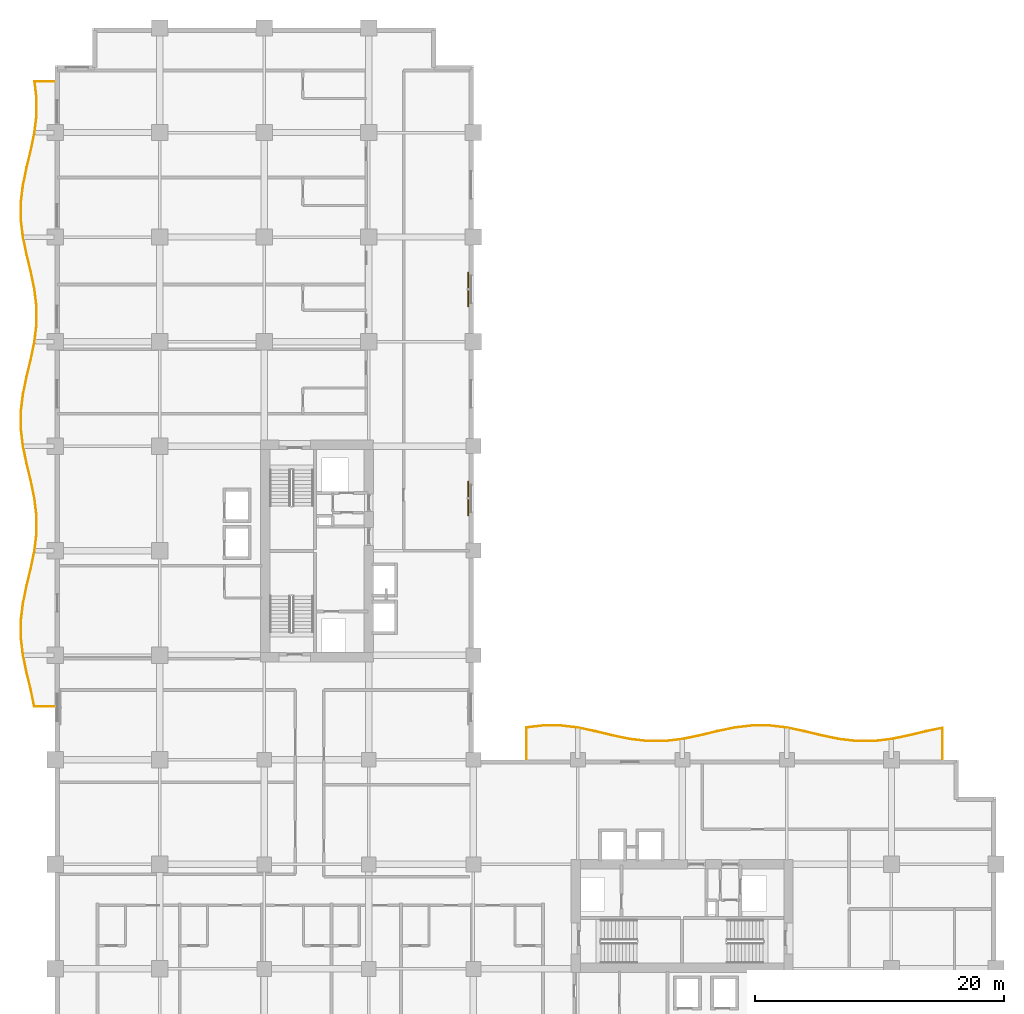
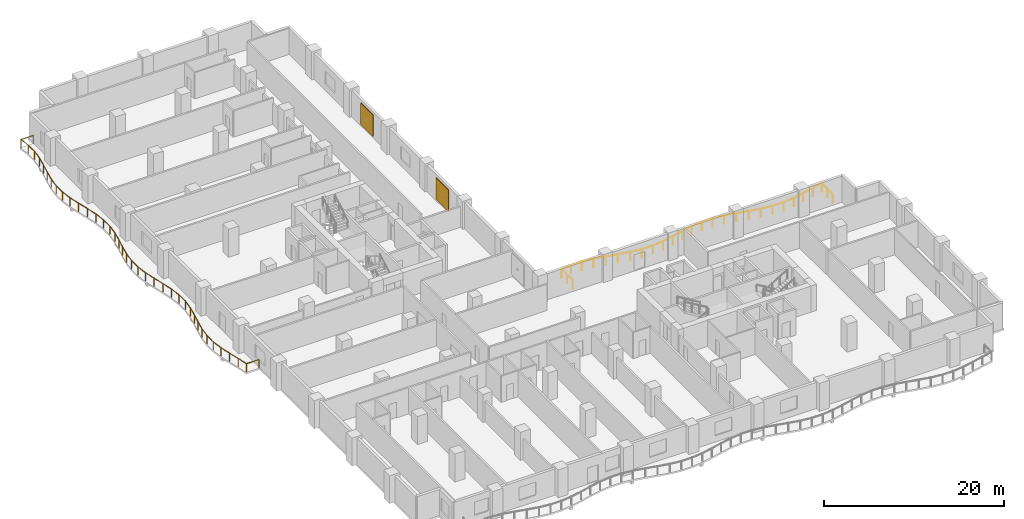
# One storey, part 17 of 17: 2 railings, 2 shading devices.
"""IFC4 building model written with IfcOpenShell, lengths in metres."""

import ifcopenshell
import ifcopenshell.guid

model = None  # the IFC model being written
_history = None  # IfcOwnerHistory: only IFC2X3 demands one
_inside = {}  # id of a spatial element -> (the spatial element, [elements in it])
_under = {}  # id of a project, library or spatial element -> (it, [spatial elements below it])
_declared = {}  # id of a project -> (the project, [libraries it declares])
_typed = {}  # id of a type object -> (the type object, [elements of that type])
_made_of = {}  # id of a material, layer set ... -> (it, [elements and type objects made of it])


def new_model(schema):
    """Start an empty IFC model of exactly this schema.

    Asked for "IFC4X3", IfcOpenShell would pick the latest addendum, in which some entities
    have other attributes; the version numbers below select the first issue.
    IFC2X3 requires an IfcOwnerHistory on every rooted entity: one is made here for all.
    """
    global model, _history
    if schema == "IFC4X3":
        model = ifcopenshell.file(schema_version=(4, 3, 0, 0))
    else:
        model = ifcopenshell.file(schema=schema)
    _inside.clear()
    _under.clear()
    _declared.clear()
    _typed.clear()
    _made_of.clear()
    _history = None
    if model.schema == "IFC2X3":
        org = make("IfcOrganization", Name="unknown")
        user = make(
            "IfcPersonAndOrganization",
            ThePerson=make("IfcPerson", FamilyName="unknown"),
            TheOrganization=org,
        )
        app = make(
            "IfcApplication",
            ApplicationDeveloper=org,
            Version="unknown",
            ApplicationFullName="unknown",
            ApplicationIdentifier="unknown",
        )
        _history = make(
            "IfcOwnerHistory",
            OwningUser=user,
            OwningApplication=app,
            ChangeAction="ADDED",
            CreationDate=0,
        )
    return model


def make(cls, **values):
    """One entity of the class cls with the attributes given. An attribute that is None is left unset."""
    return model.create_entity(
        cls, **{name: value for name, value in values.items() if value is not None}
    )


def rooted(cls, **values):
    """An entity with a GlobalId (a new one), such as an element, a storey or a relation."""
    return make(cls, GlobalId=ifcopenshell.guid.new(), OwnerHistory=_history, **values)


def si_unit(unit_type, name, prefix=None):
    """IfcSIUnit, for example si_unit("LENGTHUNIT", "METRE", prefix="MILLI")."""
    return make("IfcSIUnit", UnitType=unit_type, Prefix=prefix, Name=name)


def assignment(units):
    """IfcUnitAssignment: the units of a project."""
    return None if units is None else make("IfcUnitAssignment", Units=units)


def point(xyz):
    """IfcCartesianPoint."""
    return None if xyz is None else make("IfcCartesianPoint", Coordinates=xyz)


def direction(xyz):
    """IfcDirection."""
    return None if xyz is None else make("IfcDirection", DirectionRatios=xyz)


def frame(location, z_axis=None, x_axis=None):
    """IfcAxis2Placement3D, a coordinate frame: its origin and axes. An axis left out is left unset."""
    return make(
        "IfcAxis2Placement3D",
        Location=point(location),
        Axis=direction(z_axis),
        RefDirection=direction(x_axis),
    )


def frame_2d(location, x_axis=None):
    """IfcAxis2Placement2D, a coordinate frame in the plane: its origin and x axis."""
    return make(
        "IfcAxis2Placement2D", Location=point(location), RefDirection=direction(x_axis)
    )


def origin():
    """The frame at (0, 0, 0) with its axes left unset."""
    return frame((0.0, 0.0, 0.0))


def origin_2d():
    """The frame at (0, 0) in the plane with its x axis left unset."""
    return frame_2d((0.0, 0.0))


def place(relative_to, where):
    """IfcLocalPlacement: puts the frame where relative to a parent placement (None: the world)."""
    return make(
        "IfcLocalPlacement", PlacementRelTo=relative_to, RelativePlacement=where
    )


def context(
    kind, dimensions, precision=None, world=None, true_north=None, identifier=None
):
    """IfcGeometricRepresentationContext, for example the 3D "Model" context."""
    return make(
        "IfcGeometricRepresentationContext",
        ContextIdentifier=identifier,
        ContextType=kind,
        CoordinateSpaceDimension=dimensions,
        Precision=precision,
        WorldCoordinateSystem=world,
        TrueNorth=true_north,
    )


def subcontext(parent, identifier, kind, view, scale=None):
    """IfcGeometricRepresentationSubContext, for example "Body" below "Model"."""
    return make(
        "IfcGeometricRepresentationSubContext",
        ContextIdentifier=identifier,
        ContextType=kind,
        ParentContext=parent,
        TargetScale=scale,
        TargetView=view,
    )


def project(units=None, contexts=None):
    """IfcProject with its units and contexts."""
    return rooted(
        "IfcProject",
        Name="project",
        RepresentationContexts=contexts,
        UnitsInContext=assignment(units),
    )


def spatial(cls, under=None, at=None, **own):
    """A site, building, storey or space (cls), placed at a placement, below another one or the project."""
    s = rooted(cls, ObjectPlacement=at, **own)
    if under is not None:
        _under.setdefault(under.id(), (under, []))[1].append(s)
    return s


def profile(cls, at=None, kind="AREA", **sizes):
    """A parametric profile (cls). Its sizes go by their IFC names, for example OverallWidth=200.0."""
    return make(cls, ProfileType=kind, Position=at, **sizes)


def rectangle(**sizes):
    """IfcRectangleProfileDef."""
    return profile("IfcRectangleProfileDef", **sizes)


def circle(**sizes):
    """IfcCircleProfileDef."""
    return profile("IfcCircleProfileDef", **sizes)


def extrude(swept, where, along, depth):
    """IfcExtrudedAreaSolid: the profile swept, set in the frame where, extruded along a direction by depth."""
    return make(
        "IfcExtrudedAreaSolid",
        SweptArea=swept,
        Position=where,
        ExtrudedDirection=direction(along),
        Depth=depth,
    )


def shape(context_of_items, identifier, shape_type, items):
    """IfcShapeRepresentation: the items that make up one representation, for example the "Body"."""
    return make(
        "IfcShapeRepresentation",
        ContextOfItems=context_of_items,
        RepresentationIdentifier=identifier,
        RepresentationType=shape_type,
        Items=items,
    )


def material(Name=None, Category=None):
    """IfcMaterial."""
    return make("IfcMaterial", Name=Name, Category=Category)


def layer(
    of_material, thickness, ventilated=None, Name=None, Category=None, Priority=None
):
    """IfcMaterialLayer: one layer of a wall or slab, of a material (None: an air gap)."""
    return make(
        "IfcMaterialLayer",
        Material=of_material,
        LayerThickness=thickness,
        IsVentilated=ventilated,
        Name=Name,
        Category=Category,
        Priority=Priority,
    )


def layer_set(layers, Name=None):
    """IfcMaterialLayerSet."""
    return make("IfcMaterialLayerSet", MaterialLayers=layers, LayerSetName=Name)


def made_of(thing, what):
    """Note that an element or type object is made of a material, layer set ...; save() writes the relation."""
    if what is not None:
        _made_of.setdefault(what.id(), (what, []))[1].append(thing)
    return thing


def type_object(cls, material=None, **own):
    """A type object (cls), such as IfcWallType, which elements share."""
    return made_of(rooted(cls, **own), material)


def element(
    cls,
    number,
    at=None,
    inside=None,
    cuts=None,
    type_object=None,
    material=None,
    context=None,
    identifier="Body",
    shape_type=None,
    held_by="IfcProductDefinitionShape",
    body=None,
    shapes=None,
    **own,
):
    """One element of the class cls, such as IfcWall. Its Tag is "e" and its number.

    at: its placement. inside: the storey or other place that contains it. cuts: it is an
    opening in that element (IfcRelVoidsElement). A single representation is given by context,
    identifier, shape_type and body (its items); several are given by shapes. held_by: the class
    of the entity that holds the representations. save() writes the other relations.
    """
    e = rooted(cls, Tag="e%d" % number, ObjectPlacement=at, **own)
    if body is not None:
        shapes = [shape(context, identifier, shape_type, body)]
    if shapes is not None:
        e.Representation = make(held_by, Representations=shapes)
    if inside is not None:
        _inside.setdefault(inside.id(), (inside, []))[1].append(e)
    if cuts is not None:
        rooted(
            "IfcRelVoidsElement", RelatingBuildingElement=cuts, RelatedOpeningElement=e
        )
    if type_object is not None:
        _typed.setdefault(type_object.id(), (type_object, []))[1].append(e)
    return made_of(e, material)


def aggregate(whole, parts):
    """IfcRelAggregates: a whole, such as a stair, and the parts it consists of."""
    return rooted("IfcRelAggregates", RelatingObject=whole, RelatedObjects=parts)


def save(model, path):
    """Write the relations noted so far, then the file.

    IfcRelAggregates (storeys below a building ...), IfcRelContainedInSpatialStructure (elements
    in a storey), IfcRelDefinesByType, IfcRelAssociatesMaterial and IfcRelDeclares: one each for
    every whole, place, type object, material and project.
    """
    for whole, parts in _under.values():
        aggregate(whole, parts)
    for where, things in _inside.values():
        rooted(
            "IfcRelContainedInSpatialStructure",
            RelatedElements=things,
            RelatingStructure=where,
        )
    for kind, things in _typed.values():
        rooted("IfcRelDefinesByType", RelatedObjects=things, RelatingType=kind)
    for what, things in _made_of.values():
        rooted("IfcRelAssociatesMaterial", RelatedObjects=things, RelatingMaterial=what)
    for by, libraries in _declared.values():
        rooted("IfcRelDeclares", RelatingContext=by, RelatedDefinitions=libraries)
    model.write(path)


model = new_model("IFC4")

# Units and contexts
model_context = context("Model", 3, precision=1e-05, world=origin(), true_north=direction((0.0, 1.0)))
body_context = subcontext(model_context, "Body", "Model", "MODEL_VIEW")
ifc_project = project(units=[si_unit("LENGTHUNIT", "METRE"), si_unit("AREAUNIT", "SQUARE_METRE"), si_unit("VOLUMEUNIT", "CUBIC_METRE"), si_unit("PLANEANGLEUNIT", "RADIAN"), si_unit("MASSUNIT", "GRAM", prefix="KILO")], contexts=[model_context])

# Site, building, storey
site_placement = place(None, origin())
site = spatial("IfcSite", under=ifc_project, at=site_placement, CompositionType="ELEMENT")
building_placement = place(site_placement, origin())
building = spatial("IfcBuilding", under=site, at=building_placement, Name="Koriwani Terraces Tower", CompositionType="ELEMENT")
storey_placement = place(building_placement, frame((0.0, 0.0, 130.39990234375)))
storey = spatial("IfcBuildingStorey", under=building, at=storey_placement, Name="L31", CompositionType="ELEMENT", Elevation=130.39990234375)

# Railings
ifc_material_1 = material(Name="Steel ASTM A572 Grade 50", Category="steel")
railing_type = type_object("IfcRailingType", Name="GUARD_BALUSTRADE_1150", PredefinedType="BALUSTRADE", material=ifc_material_1)
railing_1_placement = place(storey_placement, frame((-0.080078125, 37.8798828125, 0.0)))
element("IfcRailing", 1, at=railing_1_placement, inside=storey, type_object=railing_type, Name="L31 Balcony Perimeter Safety Balustrade (W)", PredefinedType="BALUSTRADE", context=body_context, shape_type="SweptSolid", body=[
    extrude(circle(Radius=0.02392578125, at=origin_2d()), frame((0.0, 0.0, 1.1259765625), z_axis=(-1.0, 0.0, 0.0), x_axis=(0.0, -1.0, 0.0)), (0.0, 0.0, 1.0), 1.59521484375),
    extrude(circle(Radius=0.02392578125, at=origin_2d()), frame((-1.59521484375, 0.0, 1.1259765625), z_axis=(-0.203704500299, 0.979032418543, 0.0), x_axis=(-0.979032418543, -0.203704500299, 0.0)), (0.0, 0.0, 1.0), 1.3662109375),
    extrude(circle(Radius=0.02392578125, at=origin_2d()), frame((-1.87353515625, 1.337646484375, 1.1259765625), z_axis=(-0.233667958249, 0.972316453264, 0.0), x_axis=(-0.972316453264, -0.233667958249, 0.0)), (0.0, 0.0, 1.0), 1.439697265625),
    extrude(circle(Radius=0.02392578125, at=origin_2d()), frame((-2.2099609375, 2.737548828125, 1.1259765625), z_axis=(-0.203817459967, 0.979008908546, 0.0), x_axis=(-0.979008908546, -0.203817459967, 0.0)), (0.0, 0.0, 1.0), 1.425537109375),
    extrude(circle(Radius=0.02392578125, at=origin_2d()), frame((-2.50048828125, 4.133056640625, 1.1259765625), z_axis=(-0.119296300234, 0.992858697273, 0.0), x_axis=(-0.992858697273, -0.119296300234, 0.0)), (0.0, 0.0, 1.0), 1.40185546875),
    extrude(circle(Radius=0.02392578125, at=origin_2d()), frame((-2.667724609375, 5.52490234375, 1.1259765625), z_axis=(0.0, 1.0, 0.0), x_axis=(-1.0, 0.0, 0.0)), (0.0, 0.0, 1.0), 1.390380859375),
    extrude(circle(Radius=0.02392578125, at=origin_2d()), frame((-2.667724609375, 6.915283203125, 1.1259765625), z_axis=(0.119296300234, 0.992858697273, 0.0), x_axis=(-0.992858697273, 0.119296300234, 0.0)), (0.0, 0.0, 1.0), 1.40185546875),
    extrude(circle(Radius=0.02392578125, at=origin_2d()), frame((-2.50048828125, 8.30712890625, 1.1259765625), z_axis=(0.203817459967, 0.979008908546, 0.0), x_axis=(-0.979008908546, 0.203817459967, 0.0)), (0.0, 0.0, 1.0), 1.425537109375),
    extrude(circle(Radius=0.02392578125, at=origin_2d()), frame((-2.2099609375, 9.70263671875, 1.1259765625), z_axis=(0.233667958249, 0.972316453264, 0.0), x_axis=(-0.972316453264, 0.233667958249, 0.0)), (0.0, 0.0, 1.0), 1.439697265625),
    extrude(circle(Radius=0.02392578125, at=origin_2d()), frame((-1.87353515625, 11.1025390625, 1.1259765625), z_axis=(0.203505770089, 0.979073746732, 0.0), x_axis=(-0.979073746732, 0.203505770089, 0.0)), (0.0, 0.0, 1.0), 1.434814453125),
    extrude(circle(Radius=0.02392578125, at=origin_2d()), frame((-1.58154296875, 12.50732421875, 1.1259765625), z_axis=(0.119308148191, 0.992857273618, 0.0), x_axis=(-0.992857273618, 0.119308148191, 0.0)), (0.0, 0.0, 1.0), 1.41796875),
    extrude(circle(Radius=0.02392578125, at=origin_2d()), frame((-1.412353515625, 13.915283203125, 1.1259765625), z_axis=(0.0, 1.0, 0.0), x_axis=(-1.0, 0.0, 0.0)), (0.0, 0.0, 1.0), 1.40966796875),
    extrude(circle(Radius=0.02392578125, at=origin_2d()), frame((-1.412353515625, 15.324951171875, 1.1259765625), z_axis=(-0.119308148191, 0.992857273618, 0.0), x_axis=(-0.992857273618, -0.119308148191, 0.0)), (0.0, 0.0, 1.0), 1.41796875),
    extrude(circle(Radius=0.02392578125, at=origin_2d()), frame((-1.58154296875, 16.73291015625, 1.1259765625), z_axis=(-0.203505770089, 0.979073746732, 0.0), x_axis=(-0.979073746732, -0.203505770089, 0.0)), (0.0, 0.0, 1.0), 1.434814453125),
    extrude(circle(Radius=0.02392578125, at=origin_2d()), frame((-1.87353515625, 18.1376953125, 1.1259765625), z_axis=(-0.233667958249, 0.972316453264, 0.0), x_axis=(-0.972316453264, -0.233667958249, 0.0)), (0.0, 0.0, 1.0), 1.439697265625),
    extrude(circle(Radius=0.02392578125, at=origin_2d()), frame((-2.2099609375, 19.53759765625, 1.1259765625), z_axis=(-0.203817459967, 0.979008908546, 0.0), x_axis=(-0.979008908546, -0.203817459967, 0.0)), (0.0, 0.0, 1.0), 1.425537109375),
    extrude(circle(Radius=0.02392578125, at=origin_2d()), frame((-2.50048828125, 20.93310546875, 1.1259765625), z_axis=(-0.119296300234, 0.992858697273, 0.0), x_axis=(-0.992858697273, -0.119296300234, 0.0)), (0.0, 0.0, 1.0), 1.40185546875),
    extrude(circle(Radius=0.02392578125, at=origin_2d()), frame((-2.667724609375, 22.324951171875, 1.1259765625), z_axis=(0.0, 1.0, 0.0), x_axis=(-1.0, 0.0, 0.0)), (0.0, 0.0, 1.0), 1.390380859375),
    extrude(circle(Radius=0.02392578125, at=origin_2d()), frame((-2.667724609375, 23.71533203125, 1.1259765625), z_axis=(0.119296300234, 0.992858697273, 0.0), x_axis=(-0.992858697273, 0.119296300234, 0.0)), (0.0, 0.0, 1.0), 1.40185546875),
    extrude(circle(Radius=0.02392578125, at=origin_2d()), frame((-2.50048828125, 25.107177734375, 1.1259765625), z_axis=(0.203817459967, 0.979008908546, 0.0), x_axis=(-0.979008908546, 0.203817459967, 0.0)), (0.0, 0.0, 1.0), 1.425537109375),
    extrude(circle(Radius=0.02392578125, at=origin_2d()), frame((-2.2099609375, 26.502685546875, 1.1259765625), z_axis=(0.233667958249, 0.972316453264, 0.0), x_axis=(-0.972316453264, 0.233667958249, 0.0)), (0.0, 0.0, 1.0), 1.439697265625),
    extrude(circle(Radius=0.02392578125, at=origin_2d()), frame((-1.87353515625, 27.902587890625, 1.1259765625), z_axis=(0.203539678581, 0.979066698056, 0.0), x_axis=(-0.979066698056, 0.203539678581, 0.0)), (0.0, 0.0, 1.0), 1.4345703125),
    extrude(circle(Radius=0.02392578125, at=origin_2d()), frame((-1.58154296875, 29.30712890625, 1.1259765625), z_axis=(0.119287758056, 0.992859723616, 0.0), x_axis=(-0.992859723616, 0.119287758056, 0.0)), (0.0, 0.0, 1.0), 1.418212890625),
    extrude(circle(Radius=0.02392578125, at=origin_2d()), frame((-1.412353515625, 30.71533203125, 1.1259765625), z_axis=(0.0, 1.0, 0.0), x_axis=(-1.0, 0.0, 0.0)), (0.0, 0.0, 1.0), 1.40966796875),
    extrude(circle(Radius=0.02392578125, at=origin_2d()), frame((-1.412353515625, 32.125, 1.1259765625), z_axis=(-0.119308148191, 0.992857273618, 0.0), x_axis=(-0.992857273618, -0.119308148191, 0.0)), (0.0, 0.0, 1.0), 1.41796875),
    extrude(circle(Radius=0.02392578125, at=origin_2d()), frame((-1.58154296875, 33.532958984375, 1.1259765625), z_axis=(-0.203539678581, 0.979066698056, 0.0), x_axis=(-0.979066698056, -0.203539678581, 0.0)), (0.0, 0.0, 1.0), 1.4345703125),
    extrude(circle(Radius=0.02392578125, at=origin_2d()), frame((-1.87353515625, 34.9375, 1.1259765625), z_axis=(-0.233629438166, 0.972325709638, 0.0), x_axis=(-0.972325709638, -0.233629438166, 0.0)), (0.0, 0.0, 1.0), 1.43994140625),
    extrude(circle(Radius=0.02392578125, at=origin_2d()), frame((-2.2099609375, 36.337646484375, 1.1259765625), z_axis=(-0.20385164167, 0.979001791719, 0.0), x_axis=(-0.979001791719, -0.20385164167, 0.0)), (0.0, 0.0, 1.0), 1.42529296875),
    extrude(circle(Radius=0.02392578125, at=origin_2d()), frame((-2.50048828125, 37.73291015625, 1.1259765625), z_axis=(-0.119275676073, 0.992861175138, 0.0), x_axis=(-0.992861175138, -0.119275676073, 0.0)), (0.0, 0.0, 1.0), 1.402099609375),
    extrude(circle(Radius=0.02392578125, at=origin_2d()), frame((-2.667724609375, 39.125, 1.1259765625), z_axis=(0.0, 1.0, 0.0), x_axis=(-1.0, 0.0, 0.0)), (0.0, 0.0, 1.0), 1.390380859375),
    extrude(circle(Radius=0.02392578125, at=origin_2d()), frame((-2.667724609375, 40.515380859375, 1.1259765625), z_axis=(0.119296300234, 0.992858697273, 0.0), x_axis=(-0.992858697273, 0.119296300234, 0.0)), (0.0, 0.0, 1.0), 1.40185546875),
    extrude(circle(Radius=0.02392578125, at=origin_2d()), frame((-2.50048828125, 41.9072265625, 1.1259765625), z_axis=(0.203817459967, 0.979008908546, 0.0), x_axis=(-0.979008908546, 0.203817459967, 0.0)), (0.0, 0.0, 1.0), 1.425537109375),
    extrude(circle(Radius=0.02392578125, at=origin_2d()), frame((-2.2099609375, 43.302734375, 1.1259765625), z_axis=(0.233667958249, 0.972316453264, 0.0), x_axis=(-0.972316453264, 0.233667958249, 0.0)), (0.0, 0.0, 1.0), 1.439697265625),
    extrude(circle(Radius=0.02392578125, at=origin_2d()), frame((-1.87353515625, 44.70263671875, 1.1259765625), z_axis=(0.203539678581, 0.979066698056, 0.0), x_axis=(-0.979066698056, 0.203539678581, 0.0)), (0.0, 0.0, 1.0), 1.4345703125),
    extrude(circle(Radius=0.02392578125, at=origin_2d()), frame((-1.58154296875, 46.107177734375, 1.1259765625), z_axis=(0.119287758056, 0.992859723616, 0.0), x_axis=(-0.992859723616, 0.119287758056, 0.0)), (0.0, 0.0, 1.0), 1.418212890625),
    extrude(circle(Radius=0.02392578125, at=origin_2d()), frame((-1.412353515625, 47.515380859375, 1.1259765625), z_axis=(0.0, 1.0, 0.0), x_axis=(-1.0, 0.0, 0.0)), (0.0, 0.0, 1.0), 1.409423828125),
    extrude(circle(Radius=0.02392578125, at=origin_2d()), frame((-1.412353515625, 48.9248046875, 1.1259765625), z_axis=(-0.11904348932, 0.992889040956, 0.0), x_axis=(-0.992889040956, -0.11904348932, 0.0)), (0.0, 0.0, 1.0), 1.324951171875),
    extrude(circle(Radius=0.02392578125, at=origin_2d()), frame((-1.570068359375, 50.240234375, 1.1259765625), z_axis=(1.0, 0.0, 0.0), x_axis=(0.0, 1.0, 0.0)), (0.0, 0.0, 1.0), 1.570068359375),
    extrude(circle(Radius=0.02099609375, at=origin_2d()), origin(), (0.0, 0.0, 1.0), 1.101806640625),
    extrude(circle(Radius=0.02099609375, at=origin_2d()), frame((-1.59521484375, 0.0, 0.0)), (0.0, 0.0, 1.0), 1.101806640625),
    extrude(circle(Radius=0.02099609375, at=origin_2d()), frame((-1.87353515625, 1.337646484375, 0.0)), (0.0, 0.0, 1.0), 1.101806640625),
    extrude(circle(Radius=0.02099609375, at=origin_2d()), frame((-2.2099609375, 2.737548828125, 0.0)), (0.0, 0.0, 1.0), 1.101806640625),
    extrude(circle(Radius=0.02099609375, at=origin_2d()), frame((-2.50048828125, 4.133056640625, 0.0)), (0.0, 0.0, 1.0), 1.101806640625),
    extrude(circle(Radius=0.02099609375, at=origin_2d()), frame((-2.667724609375, 5.52490234375, 0.0)), (0.0, 0.0, 1.0), 1.101806640625),
    extrude(circle(Radius=0.02099609375, at=origin_2d()), frame((-2.667724609375, 6.915283203125, 0.0)), (0.0, 0.0, 1.0), 1.101806640625),
    extrude(circle(Radius=0.02099609375, at=origin_2d()), frame((-2.50048828125, 8.30712890625, 0.0)), (0.0, 0.0, 1.0), 1.101806640625),
    extrude(circle(Radius=0.02099609375, at=origin_2d()), frame((-2.2099609375, 9.70263671875, 0.0)), (0.0, 0.0, 1.0), 1.101806640625),
    extrude(circle(Radius=0.02099609375, at=origin_2d()), frame((-1.87353515625, 11.1025390625, 0.0)), (0.0, 0.0, 1.0), 1.101806640625),
    extrude(circle(Radius=0.02099609375, at=origin_2d()), frame((-1.58154296875, 12.50732421875, 0.0)), (0.0, 0.0, 1.0), 1.101806640625),
    extrude(circle(Radius=0.02099609375, at=origin_2d()), frame((-1.412353515625, 13.915283203125, 0.0)), (0.0, 0.0, 1.0), 1.101806640625),
    extrude(circle(Radius=0.02099609375, at=origin_2d()), frame((-1.412353515625, 15.324951171875, 0.0)), (0.0, 0.0, 1.0), 1.101806640625),
    extrude(circle(Radius=0.02099609375, at=origin_2d()), frame((-1.58154296875, 16.73291015625, 0.0)), (0.0, 0.0, 1.0), 1.101806640625),
    extrude(circle(Radius=0.02099609375, at=origin_2d()), frame((-1.87353515625, 18.1376953125, 0.0)), (0.0, 0.0, 1.0), 1.101806640625),
    extrude(circle(Radius=0.02099609375, at=origin_2d()), frame((-2.2099609375, 19.53759765625, 0.0)), (0.0, 0.0, 1.0), 1.101806640625),
    extrude(circle(Radius=0.02099609375, at=origin_2d()), frame((-2.50048828125, 20.93310546875, 0.0)), (0.0, 0.0, 1.0), 1.101806640625),
    extrude(circle(Radius=0.02099609375, at=origin_2d()), frame((-2.667724609375, 22.324951171875, 0.0)), (0.0, 0.0, 1.0), 1.101806640625),
    extrude(circle(Radius=0.02099609375, at=origin_2d()), frame((-2.667724609375, 23.71533203125, 0.0)), (0.0, 0.0, 1.0), 1.101806640625),
    extrude(circle(Radius=0.02099609375, at=origin_2d()), frame((-2.50048828125, 25.107177734375, 0.0)), (0.0, 0.0, 1.0), 1.101806640625),
    extrude(circle(Radius=0.02099609375, at=origin_2d()), frame((-2.2099609375, 26.502685546875, 0.0)), (0.0, 0.0, 1.0), 1.101806640625),
    extrude(circle(Radius=0.02099609375, at=origin_2d()), frame((-1.87353515625, 27.902587890625, 0.0)), (0.0, 0.0, 1.0), 1.101806640625),
    extrude(circle(Radius=0.02099609375, at=origin_2d()), frame((-1.58154296875, 29.30712890625, 0.0)), (0.0, 0.0, 1.0), 1.101806640625),
    extrude(circle(Radius=0.02099609375, at=origin_2d()), frame((-1.412353515625, 30.71533203125, 0.0)), (0.0, 0.0, 1.0), 1.101806640625),
    extrude(circle(Radius=0.02099609375, at=origin_2d()), frame((-1.412353515625, 32.125, 0.0)), (0.0, 0.0, 1.0), 1.101806640625),
    extrude(circle(Radius=0.02099609375, at=origin_2d()), frame((-1.58154296875, 33.532958984375, 0.0)), (0.0, 0.0, 1.0), 1.101806640625),
    extrude(circle(Radius=0.02099609375, at=origin_2d()), frame((-1.87353515625, 34.9375, 0.0)), (0.0, 0.0, 1.0), 1.101806640625),
    extrude(circle(Radius=0.02099609375, at=origin_2d()), frame((-2.2099609375, 36.337646484375, 0.0)), (0.0, 0.0, 1.0), 1.101806640625),
    extrude(circle(Radius=0.02099609375, at=origin_2d()), frame((-2.50048828125, 37.73291015625, 0.0)), (0.0, 0.0, 1.0), 1.101806640625),
    extrude(circle(Radius=0.02099609375, at=origin_2d()), frame((-2.667724609375, 39.125, 0.0)), (0.0, 0.0, 1.0), 1.101806640625),
    extrude(circle(Radius=0.02099609375, at=origin_2d()), frame((-2.667724609375, 40.515380859375, 0.0)), (0.0, 0.0, 1.0), 1.101806640625),
    extrude(circle(Radius=0.02099609375, at=origin_2d()), frame((-2.50048828125, 41.9072265625, 0.0)), (0.0, 0.0, 1.0), 1.101806640625),
    extrude(circle(Radius=0.02099609375, at=origin_2d()), frame((-2.2099609375, 43.302734375, 0.0)), (0.0, 0.0, 1.0), 1.101806640625),
    extrude(circle(Radius=0.02099609375, at=origin_2d()), frame((-1.87353515625, 44.70263671875, 0.0)), (0.0, 0.0, 1.0), 1.101806640625),
    extrude(circle(Radius=0.02099609375, at=origin_2d()), frame((-1.58154296875, 46.107177734375, 0.0)), (0.0, 0.0, 1.0), 1.101806640625),
    extrude(circle(Radius=0.02099609375, at=origin_2d()), frame((-1.412353515625, 47.515380859375, 0.0)), (0.0, 0.0, 1.0), 1.101806640625),
    extrude(circle(Radius=0.02099609375, at=origin_2d()), frame((-1.412353515625, 48.9248046875, 0.0)), (0.0, 0.0, 1.0), 1.101806640625),
    extrude(circle(Radius=0.02099609375, at=origin_2d()), frame((-1.570068359375, 50.240234375, 0.0)), (0.0, 0.0, 1.0), 1.101806640625),
    extrude(circle(Radius=0.02099609375, at=origin_2d()), frame((0.0, 50.240234375, 0.0)), (0.0, 0.0, 1.0), 1.101806640625),
])
railing_2_placement = place(storey_placement, frame((71.320068359375, 33.679931640625, 0.0)))
element("IfcRailing", 2, at=railing_2_placement, inside=storey, type_object=railing_type, Name="L31 Balcony Perimeter Safety Balustrade (NE)", PredefinedType="BALUSTRADE", context=body_context, shape_type="SweptSolid", body=[
    extrude(circle(Radius=0.02392578125, at=origin_2d()), frame((0.0, 0.0, 1.1259765625), z_axis=(0.0, 1.0, 0.0), x_axis=(-1.0, 0.0, 0.0)), (0.0, 0.0, 1.0), 2.481201171875),
    extrude(circle(Radius=0.02392578125, at=origin_2d()), frame((0.0, 2.481201171875, 1.1259765625), z_axis=(-0.979033821265, -0.203697758501, 0.0), x_axis=(0.203697758501, -0.979033821265, 0.0)), (0.0, 0.0, 1.0), 1.330322265625),
    extrude(circle(Radius=0.02392578125, at=origin_2d()), frame((-1.302490234375, 2.210205078125, 1.1259765625), z_axis=(-0.972325709638, -0.233629438166, 0.0), x_axis=(0.233629438166, -0.972325709638, 0.0)), (0.0, 0.0, 1.0), 1.43994140625),
    extrude(circle(Radius=0.02392578125, at=origin_2d()), frame((-2.70263671875, 1.873779296875, 1.1259765625), z_axis=(-0.979032771622, -0.203702803343, 0.0), x_axis=(0.203702803343, -0.979032771622, 0.0)), (0.0, 0.0, 1.0), 1.4345703125),
    extrude(circle(Radius=0.02392578125, at=origin_2d()), frame((-4.107177734375, 1.58154296875, 1.1259765625), z_axis=(-0.992859723616, -0.119287758056, 0.0), x_axis=(0.119287758056, -0.992859723616, 0.0)), (0.0, 0.0, 1.0), 1.418212890625),
    extrude(circle(Radius=0.02392578125, at=origin_2d()), frame((-5.515380859375, 1.412353515625, 1.1259765625), z_axis=(-1.0, 0.0, 0.0), x_axis=(0.0, -1.0, 0.0)), (0.0, 0.0, 1.0), 1.409423828125),
    extrude(circle(Radius=0.02392578125, at=origin_2d()), frame((-6.9248046875, 1.412353515625, 1.1259765625), z_axis=(-0.992859723616, 0.119287758056, 0.0), x_axis=(-0.119287758056, -0.992859723616, 0.0)), (0.0, 0.0, 1.0), 1.418212890625),
    extrude(circle(Radius=0.02392578125, at=origin_2d()), frame((-8.3330078125, 1.58154296875, 1.1259765625), z_axis=(-0.979032771622, 0.203702803343, 0.0), x_axis=(-0.203702803343, -0.979032771622, 0.0)), (0.0, 0.0, 1.0), 1.4345703125),
    extrude(circle(Radius=0.02392578125, at=origin_2d()), frame((-9.737548828125, 1.873779296875, 1.1259765625), z_axis=(-0.972316453264, 0.233667958249, 0.0), x_axis=(-0.233667958249, -0.972316453264, 0.0)), (0.0, 0.0, 1.0), 1.439697265625),
    extrude(circle(Radius=0.02392578125, at=origin_2d()), frame((-11.137451171875, 2.210205078125, 1.1259765625), z_axis=(-0.979008908546, 0.203817459967, 0.0), x_axis=(-0.203817459967, -0.979008908546, 0.0)), (0.0, 0.0, 1.0), 1.425537109375),
    extrude(circle(Radius=0.02392578125, at=origin_2d()), frame((-12.532958984375, 2.500732421875, 1.1259765625), z_axis=(-0.992858697273, 0.119296300234, 0.0), x_axis=(-0.119296300234, -0.992858697273, 0.0)), (0.0, 0.0, 1.0), 1.40185546875),
    extrude(circle(Radius=0.02392578125, at=origin_2d()), frame((-13.9248046875, 2.66796875, 1.1259765625), z_axis=(-1.0, 0.0, 0.0), x_axis=(0.0, -1.0, 0.0)), (0.0, 0.0, 1.0), 1.390380859375),
    extrude(circle(Radius=0.02392578125, at=origin_2d()), frame((-15.315185546875, 2.66796875, 1.1259765625), z_axis=(-0.992861175138, -0.119275676073, 0.0), x_axis=(0.119275676073, -0.992861175138, 0.0)), (0.0, 0.0, 1.0), 1.402099609375),
    extrude(circle(Radius=0.02392578125, at=origin_2d()), frame((-16.707275390625, 2.500732421875, 1.1259765625), z_axis=(-0.979001791719, -0.20385164167, 0.0), x_axis=(0.20385164167, -0.979001791719, 0.0)), (0.0, 0.0, 1.0), 1.42529296875),
    extrude(circle(Radius=0.02392578125, at=origin_2d()), frame((-18.1025390625, 2.210205078125, 1.1259765625), z_axis=(-0.972325709638, -0.233629438166, 0.0), x_axis=(0.233629438166, -0.972325709638, 0.0)), (0.0, 0.0, 1.0), 1.43994140625),
    extrude(circle(Radius=0.02392578125, at=origin_2d()), frame((-19.502685546875, 1.873779296875, 1.1259765625), z_axis=(-0.979032771622, -0.203702803343, 0.0), x_axis=(0.203702803343, -0.979032771622, 0.0)), (0.0, 0.0, 1.0), 1.4345703125),
    extrude(circle(Radius=0.02392578125, at=origin_2d()), frame((-20.9072265625, 1.58154296875, 1.1259765625), z_axis=(-0.992857273618, -0.119308148191, 0.0), x_axis=(0.119308148191, -0.992857273618, 0.0)), (0.0, 0.0, 1.0), 1.41796875),
    extrude(circle(Radius=0.02392578125, at=origin_2d()), frame((-22.315185546875, 1.412353515625, 1.1259765625), z_axis=(-1.0, 0.0, 0.0), x_axis=(0.0, -1.0, 0.0)), (0.0, 0.0, 1.0), 1.40966796875),
    extrude(circle(Radius=0.02392578125, at=origin_2d()), frame((-23.724853515625, 1.412353515625, 1.1259765625), z_axis=(-0.992859723616, 0.119287758056, 0.0), x_axis=(-0.119287758056, -0.992859723616, 0.0)), (0.0, 0.0, 1.0), 1.418212890625),
    extrude(circle(Radius=0.02392578125, at=origin_2d()), frame((-25.133056640625, 1.58154296875, 1.1259765625), z_axis=(-0.979032771622, 0.203702803343, 0.0), x_axis=(-0.203702803343, -0.979032771622, 0.0)), (0.0, 0.0, 1.0), 1.4345703125),
    extrude(circle(Radius=0.02392578125, at=origin_2d()), frame((-26.53759765625, 1.873779296875, 1.1259765625), z_axis=(-0.972316453264, 0.233667958249, 0.0), x_axis=(-0.233667958249, -0.972316453264, 0.0)), (0.0, 0.0, 1.0), 1.439697265625),
    extrude(circle(Radius=0.02392578125, at=origin_2d()), frame((-27.9375, 2.210205078125, 1.1259765625), z_axis=(-0.979008908546, 0.203817459967, 0.0), x_axis=(-0.203817459967, -0.979008908546, 0.0)), (0.0, 0.0, 1.0), 1.425537109375),
    extrude(circle(Radius=0.02392578125, at=origin_2d()), frame((-29.3330078125, 2.500732421875, 1.1259765625), z_axis=(-0.992858697273, 0.119296300234, 0.0), x_axis=(-0.119296300234, -0.992858697273, 0.0)), (0.0, 0.0, 1.0), 1.40185546875),
    extrude(circle(Radius=0.02392578125, at=origin_2d()), frame((-30.724853515625, 2.66796875, 1.1259765625), z_axis=(-1.0, 0.0, 0.0), x_axis=(0.0, -1.0, 0.0)), (0.0, 0.0, 1.0), 1.390380859375),
    extrude(circle(Radius=0.02392578125, at=origin_2d()), frame((-32.115234375, 2.66796875, 1.1259765625), z_axis=(-0.992860380993, -0.119282286421, 0.0), x_axis=(0.119282286421, -0.992860380993, 0.0)), (0.0, 0.0, 1.0), 1.33447265625),
    extrude(circle(Radius=0.02392578125, at=origin_2d()), frame((-33.440185546875, 2.5087890625, 1.1259765625), z_axis=(0.0, -1.0, 0.0), x_axis=(1.0, 0.0, 0.0)), (0.0, 0.0, 1.0), 2.5087890625),
    extrude(circle(Radius=0.02099609375, at=origin_2d()), origin(), (0.0, 0.0, 1.0), 1.101806640625),
    extrude(circle(Radius=0.02099609375, at=origin_2d()), frame((0.0, 1.24072265625, 0.0)), (0.0, 0.0, 1.0), 1.101806640625),
    extrude(circle(Radius=0.02099609375, at=origin_2d()), frame((0.0, 2.481201171875, 0.0)), (0.0, 0.0, 1.0), 1.101806640625),
    extrude(circle(Radius=0.02099609375, at=origin_2d()), frame((-1.302490234375, 2.210205078125, 0.0)), (0.0, 0.0, 1.0), 1.101806640625),
    extrude(circle(Radius=0.02099609375, at=origin_2d()), frame((-2.70263671875, 1.873779296875, 0.0)), (0.0, 0.0, 1.0), 1.101806640625),
    extrude(circle(Radius=0.02099609375, at=origin_2d()), frame((-4.107177734375, 1.58154296875, 0.0)), (0.0, 0.0, 1.0), 1.101806640625),
    extrude(circle(Radius=0.02099609375, at=origin_2d()), frame((-5.515380859375, 1.412353515625, 0.0)), (0.0, 0.0, 1.0), 1.101806640625),
    extrude(circle(Radius=0.02099609375, at=origin_2d()), frame((-6.9248046875, 1.412353515625, 0.0)), (0.0, 0.0, 1.0), 1.101806640625),
    extrude(circle(Radius=0.02099609375, at=origin_2d()), frame((-8.3330078125, 1.58154296875, 0.0)), (0.0, 0.0, 1.0), 1.101806640625),
    extrude(circle(Radius=0.02099609375, at=origin_2d()), frame((-9.737548828125, 1.873779296875, 0.0)), (0.0, 0.0, 1.0), 1.101806640625),
    extrude(circle(Radius=0.02099609375, at=origin_2d()), frame((-11.137451171875, 2.210205078125, 0.0)), (0.0, 0.0, 1.0), 1.101806640625),
    extrude(circle(Radius=0.02099609375, at=origin_2d()), frame((-12.532958984375, 2.500732421875, 0.0)), (0.0, 0.0, 1.0), 1.101806640625),
    extrude(circle(Radius=0.02099609375, at=origin_2d()), frame((-13.9248046875, 2.66796875, 0.0)), (0.0, 0.0, 1.0), 1.101806640625),
    extrude(circle(Radius=0.02099609375, at=origin_2d()), frame((-15.315185546875, 2.66796875, 0.0)), (0.0, 0.0, 1.0), 1.101806640625),
    extrude(circle(Radius=0.02099609375, at=origin_2d()), frame((-16.707275390625, 2.500732421875, 0.0)), (0.0, 0.0, 1.0), 1.101806640625),
    extrude(circle(Radius=0.02099609375, at=origin_2d()), frame((-18.1025390625, 2.210205078125, 0.0)), (0.0, 0.0, 1.0), 1.101806640625),
    extrude(circle(Radius=0.02099609375, at=origin_2d()), frame((-19.502685546875, 1.873779296875, 0.0)), (0.0, 0.0, 1.0), 1.101806640625),
    extrude(circle(Radius=0.02099609375, at=origin_2d()), frame((-20.9072265625, 1.58154296875, 0.0)), (0.0, 0.0, 1.0), 1.101806640625),
    extrude(circle(Radius=0.02099609375, at=origin_2d()), frame((-22.315185546875, 1.412353515625, 0.0)), (0.0, 0.0, 1.0), 1.101806640625),
    extrude(circle(Radius=0.02099609375, at=origin_2d()), frame((-23.724853515625, 1.412353515625, 0.0)), (0.0, 0.0, 1.0), 1.101806640625),
    extrude(circle(Radius=0.02099609375, at=origin_2d()), frame((-25.133056640625, 1.58154296875, 0.0)), (0.0, 0.0, 1.0), 1.101806640625),
    extrude(circle(Radius=0.02099609375, at=origin_2d()), frame((-26.53759765625, 1.873779296875, 0.0)), (0.0, 0.0, 1.0), 1.101806640625),
    extrude(circle(Radius=0.02099609375, at=origin_2d()), frame((-27.9375, 2.210205078125, 0.0)), (0.0, 0.0, 1.0), 1.101806640625),
    extrude(circle(Radius=0.02099609375, at=origin_2d()), frame((-29.3330078125, 2.500732421875, 0.0)), (0.0, 0.0, 1.0), 1.101806640625),
    extrude(circle(Radius=0.02099609375, at=origin_2d()), frame((-30.724853515625, 2.66796875, 0.0)), (0.0, 0.0, 1.0), 1.101806640625),
    extrude(circle(Radius=0.02099609375, at=origin_2d()), frame((-32.115234375, 2.66796875, 0.0)), (0.0, 0.0, 1.0), 1.101806640625),
    extrude(circle(Radius=0.02099609375, at=origin_2d()), frame((-33.440185546875, 2.5087890625, 0.0)), (0.0, 0.0, 1.0), 1.101806640625),
    extrude(circle(Radius=0.02099609375, at=origin_2d()), frame((-33.440185546875, 1.25439453125, 0.0)), (0.0, 0.0, 1.0), 1.101806640625),
    extrude(circle(Radius=0.02099609375, at=origin_2d()), frame((-33.440185546875, 0.0, 0.0)), (0.0, 0.0, 1.0), 1.101806640625),
])

# Shading devices
ifc_material_2 = material(Name="Extruded Terracotta Clay", Category="masonry")
ifc_layer = layer(ifc_material_2, 0.1201171875, Name="Extruded Terracotta Clay")
ifc_layer_set = layer_set([ifc_layer], Name="Extruded Terracotta Clay")
shading_device_type = type_object("IfcShadingDeviceType", Name="TERRACOTTA_BAGUETTE_SCREEN_2800", PredefinedType="USERDEFINED", material=ifc_layer_set)
for number, where, z_axis, x_axis, name in (
    (3, (33.195068359375, 54.60009765625, 0.3251953125), (0.0, 0.0, 1.0), (0.0, -1.0, 0.0), "L31 Extruded Terracotta Baguette Screen (NW_IN-8)"),
    (4, (33.195068359375, 71.39990234375, 0.3251953125), (0.0, 0.0, 1.0), (0.0, -1.0, 0.0), "L31 Extruded Terracotta Baguette Screen (NW_IN-14)"),
):
    element("IfcShadingDevice", number, at=place(storey_placement, frame(where, z_axis=z_axis, x_axis=x_axis)), inside=storey, type_object=shading_device_type, Name=name, ObjectType="BAGUETTE", PredefinedType="USERDEFINED", context=body_context, shape_type="SweptSolid", body=[
        extrude(rectangle(XDim=2.760009765625, YDim=0.1201171875, at=origin_2d()), origin(), (0.0, 0.0, 1.0), 2.89990234375),
    ])

save(model, "model.ifc")
